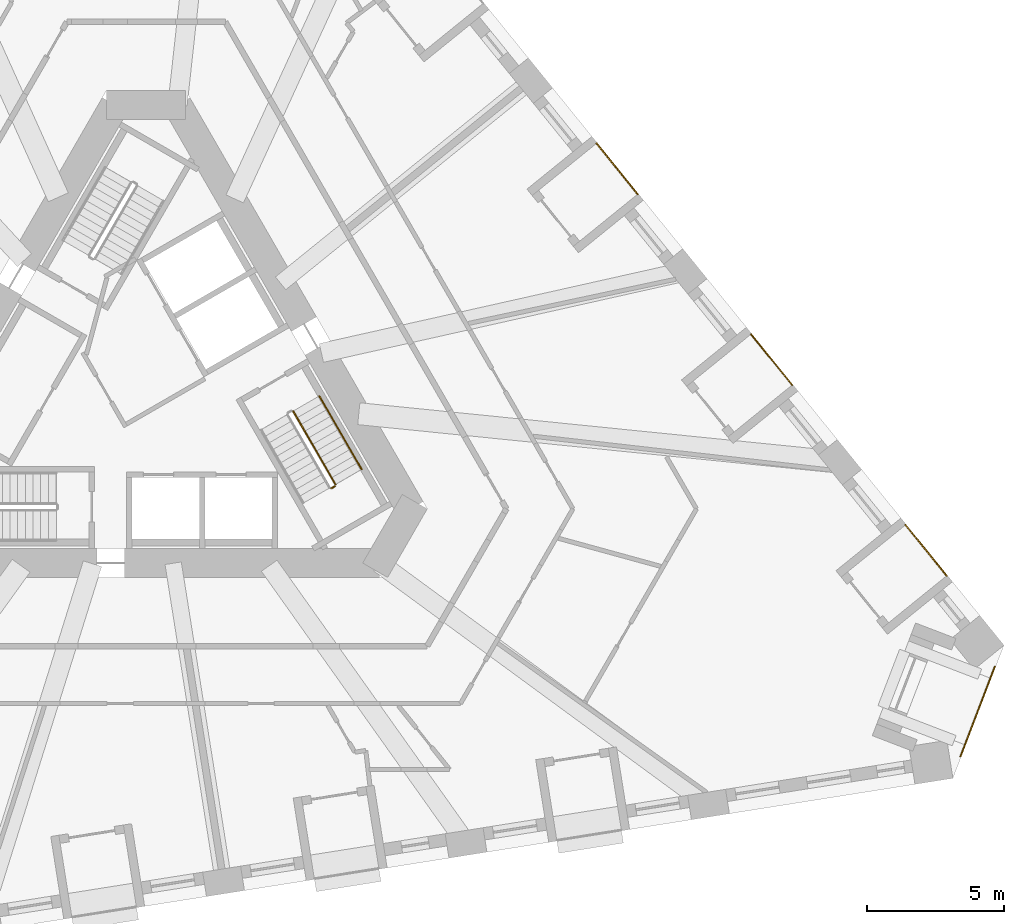
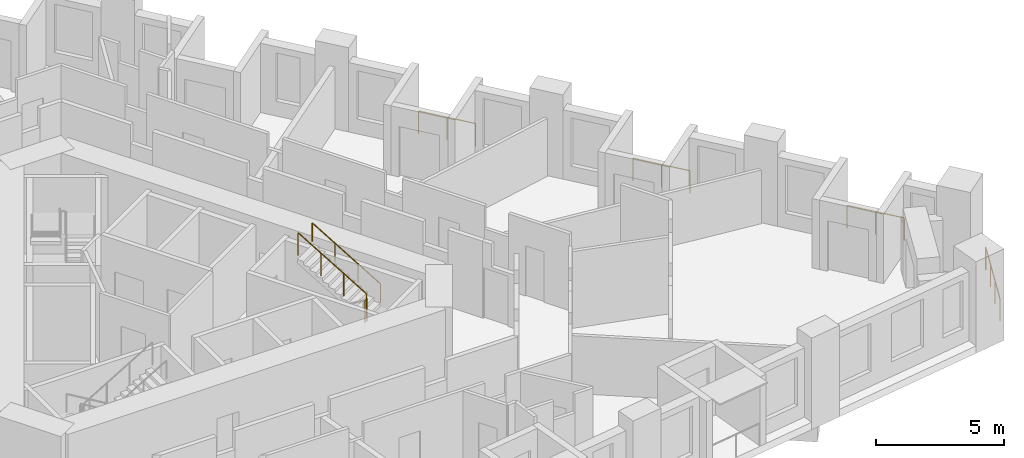
# One storey, part 12 of 13: 7 railings.
"""IFC4 building model written with IfcOpenShell, lengths in metres."""

import ifcopenshell
import ifcopenshell.guid

model = None  # the IFC model being written
_history = None  # IfcOwnerHistory: only IFC2X3 demands one
_inside = {}  # id of a spatial element -> (the spatial element, [elements in it])
_under = {}  # id of a project, library or spatial element -> (it, [spatial elements below it])
_declared = {}  # id of a project -> (the project, [libraries it declares])
_typed = {}  # id of a type object -> (the type object, [elements of that type])
_made_of = {}  # id of a material, layer set ... -> (it, [elements and type objects made of it])


def new_model(schema):
    """Start an empty IFC model of exactly this schema.

    Asked for "IFC4X3", IfcOpenShell would pick the latest addendum, in which some entities
    have other attributes; the version numbers below select the first issue.
    IFC2X3 requires an IfcOwnerHistory on every rooted entity: one is made here for all.
    """
    global model, _history
    if schema == "IFC4X3":
        model = ifcopenshell.file(schema_version=(4, 3, 0, 0))
    else:
        model = ifcopenshell.file(schema=schema)
    _inside.clear()
    _under.clear()
    _declared.clear()
    _typed.clear()
    _made_of.clear()
    _history = None
    if model.schema == "IFC2X3":
        org = make("IfcOrganization", Name="unknown")
        user = make(
            "IfcPersonAndOrganization",
            ThePerson=make("IfcPerson", FamilyName="unknown"),
            TheOrganization=org,
        )
        app = make(
            "IfcApplication",
            ApplicationDeveloper=org,
            Version="unknown",
            ApplicationFullName="unknown",
            ApplicationIdentifier="unknown",
        )
        _history = make(
            "IfcOwnerHistory",
            OwningUser=user,
            OwningApplication=app,
            ChangeAction="ADDED",
            CreationDate=0,
        )
    return model


def make(cls, **values):
    """One entity of the class cls with the attributes given. An attribute that is None is left unset."""
    return model.create_entity(
        cls, **{name: value for name, value in values.items() if value is not None}
    )


def rooted(cls, **values):
    """An entity with a GlobalId (a new one), such as an element, a storey or a relation."""
    return make(cls, GlobalId=ifcopenshell.guid.new(), OwnerHistory=_history, **values)


def si_unit(unit_type, name, prefix=None):
    """IfcSIUnit, for example si_unit("LENGTHUNIT", "METRE", prefix="MILLI")."""
    return make("IfcSIUnit", UnitType=unit_type, Prefix=prefix, Name=name)


def assignment(units):
    """IfcUnitAssignment: the units of a project."""
    return None if units is None else make("IfcUnitAssignment", Units=units)


def point(xyz):
    """IfcCartesianPoint."""
    return None if xyz is None else make("IfcCartesianPoint", Coordinates=xyz)


def direction(xyz):
    """IfcDirection."""
    return None if xyz is None else make("IfcDirection", DirectionRatios=xyz)


def frame(location, z_axis=None, x_axis=None):
    """IfcAxis2Placement3D, a coordinate frame: its origin and axes. An axis left out is left unset."""
    return make(
        "IfcAxis2Placement3D",
        Location=point(location),
        Axis=direction(z_axis),
        RefDirection=direction(x_axis),
    )


def frame_2d(location, x_axis=None):
    """IfcAxis2Placement2D, a coordinate frame in the plane: its origin and x axis."""
    return make(
        "IfcAxis2Placement2D", Location=point(location), RefDirection=direction(x_axis)
    )


def origin():
    """The frame at (0, 0, 0) with its axes left unset."""
    return frame((0.0, 0.0, 0.0))


def origin_2d():
    """The frame at (0, 0) in the plane with its x axis left unset."""
    return frame_2d((0.0, 0.0))


def place(relative_to, where):
    """IfcLocalPlacement: puts the frame where relative to a parent placement (None: the world)."""
    return make(
        "IfcLocalPlacement", PlacementRelTo=relative_to, RelativePlacement=where
    )


def context(
    kind, dimensions, precision=None, world=None, true_north=None, identifier=None
):
    """IfcGeometricRepresentationContext, for example the 3D "Model" context."""
    return make(
        "IfcGeometricRepresentationContext",
        ContextIdentifier=identifier,
        ContextType=kind,
        CoordinateSpaceDimension=dimensions,
        Precision=precision,
        WorldCoordinateSystem=world,
        TrueNorth=true_north,
    )


def subcontext(parent, identifier, kind, view, scale=None):
    """IfcGeometricRepresentationSubContext, for example "Body" below "Model"."""
    return make(
        "IfcGeometricRepresentationSubContext",
        ContextIdentifier=identifier,
        ContextType=kind,
        ParentContext=parent,
        TargetScale=scale,
        TargetView=view,
    )


def project(units=None, contexts=None):
    """IfcProject with its units and contexts."""
    return rooted(
        "IfcProject",
        Name="project",
        RepresentationContexts=contexts,
        UnitsInContext=assignment(units),
    )


def spatial(cls, under=None, at=None, **own):
    """A site, building, storey or space (cls), placed at a placement, below another one or the project."""
    s = rooted(cls, ObjectPlacement=at, **own)
    if under is not None:
        _under.setdefault(under.id(), (under, []))[1].append(s)
    return s


def profile(cls, at=None, kind="AREA", **sizes):
    """A parametric profile (cls). Its sizes go by their IFC names, for example OverallWidth=200.0."""
    return make(cls, ProfileType=kind, Position=at, **sizes)


def circle(**sizes):
    """IfcCircleProfileDef."""
    return profile("IfcCircleProfileDef", **sizes)


def extrude(swept, where, along, depth):
    """IfcExtrudedAreaSolid: the profile swept, set in the frame where, extruded along a direction by depth."""
    return make(
        "IfcExtrudedAreaSolid",
        SweptArea=swept,
        Position=where,
        ExtrudedDirection=direction(along),
        Depth=depth,
    )


def shape(context_of_items, identifier, shape_type, items):
    """IfcShapeRepresentation: the items that make up one representation, for example the "Body"."""
    return make(
        "IfcShapeRepresentation",
        ContextOfItems=context_of_items,
        RepresentationIdentifier=identifier,
        RepresentationType=shape_type,
        Items=items,
    )


def material(Name=None, Category=None):
    """IfcMaterial."""
    return make("IfcMaterial", Name=Name, Category=Category)


def made_of(thing, what):
    """Note that an element or type object is made of a material, layer set ...; save() writes the relation."""
    if what is not None:
        _made_of.setdefault(what.id(), (what, []))[1].append(thing)
    return thing


def type_object(cls, material=None, **own):
    """A type object (cls), such as IfcWallType, which elements share."""
    return made_of(rooted(cls, **own), material)


def element(
    cls,
    number,
    at=None,
    inside=None,
    cuts=None,
    type_object=None,
    material=None,
    context=None,
    identifier="Body",
    shape_type=None,
    held_by="IfcProductDefinitionShape",
    body=None,
    shapes=None,
    **own,
):
    """One element of the class cls, such as IfcWall. Its Tag is "e" and its number.

    at: its placement. inside: the storey or other place that contains it. cuts: it is an
    opening in that element (IfcRelVoidsElement). A single representation is given by context,
    identifier, shape_type and body (its items); several are given by shapes. held_by: the class
    of the entity that holds the representations. save() writes the other relations.
    """
    e = rooted(cls, Tag="e%d" % number, ObjectPlacement=at, **own)
    if body is not None:
        shapes = [shape(context, identifier, shape_type, body)]
    if shapes is not None:
        e.Representation = make(held_by, Representations=shapes)
    if inside is not None:
        _inside.setdefault(inside.id(), (inside, []))[1].append(e)
    if cuts is not None:
        rooted(
            "IfcRelVoidsElement", RelatingBuildingElement=cuts, RelatedOpeningElement=e
        )
    if type_object is not None:
        _typed.setdefault(type_object.id(), (type_object, []))[1].append(e)
    return made_of(e, material)


def aggregate(whole, parts):
    """IfcRelAggregates: a whole, such as a stair, and the parts it consists of."""
    return rooted("IfcRelAggregates", RelatingObject=whole, RelatedObjects=parts)


def save(model, path):
    """Write the relations noted so far, then the file.

    IfcRelAggregates (storeys below a building ...), IfcRelContainedInSpatialStructure (elements
    in a storey), IfcRelDefinesByType, IfcRelAssociatesMaterial and IfcRelDeclares: one each for
    every whole, place, type object, material and project.
    """
    for whole, parts in _under.values():
        aggregate(whole, parts)
    for where, things in _inside.values():
        rooted(
            "IfcRelContainedInSpatialStructure",
            RelatedElements=things,
            RelatingStructure=where,
        )
    for kind, things in _typed.values():
        rooted("IfcRelDefinesByType", RelatedObjects=things, RelatingType=kind)
    for what, things in _made_of.values():
        rooted("IfcRelAssociatesMaterial", RelatedObjects=things, RelatingMaterial=what)
    for by, libraries in _declared.values():
        rooted("IfcRelDeclares", RelatingContext=by, RelatedDefinitions=libraries)
    model.write(path)


model = new_model("IFC4")

# Units and contexts
model_context = context("Model", 3, precision=1e-05, world=origin(), true_north=direction((0.0, 1.0)))
body_context = subcontext(model_context, "Body", "Model", "MODEL_VIEW")
ifc_project = project(units=[si_unit("LENGTHUNIT", "METRE"), si_unit("AREAUNIT", "SQUARE_METRE"), si_unit("VOLUMEUNIT", "CUBIC_METRE"), si_unit("PLANEANGLEUNIT", "RADIAN"), si_unit("MASSUNIT", "GRAM", prefix="KILO")], contexts=[model_context])

# Site, building, storey
site_placement = place(None, origin())
site = spatial("IfcSite", under=ifc_project, at=site_placement, CompositionType="ELEMENT")
building_placement = place(site_placement, origin())
building = spatial("IfcBuilding", under=site, at=building_placement, Name="Tramontana Tower", CompositionType="ELEMENT")
storey_placement = place(building_placement, frame((0.0, 0.0, 51.199951171875)))
storey = spatial("IfcBuildingStorey", under=building, at=storey_placement, Name="L10", CompositionType="ELEMENT", Elevation=51.199951171875)

# Railings
ifc_material_1 = material(Name="Laminated glass balustrade", Category="glass")
railing_type_1 = type_object("IfcRailingType", Name="GD1 Loggia glass balustrade 1100", PredefinedType="BALUSTRADE", material=ifc_material_1)
railing_1_placement = place(storey_placement, frame((29.18310546875, -6.68896484375, 0.0)))
element("IfcRailing", 1, at=railing_1_placement, inside=storey, type_object=railing_type_1, Name="Loggia balustrade L10 G1S2.1", PredefinedType="BALUSTRADE", context=body_context, shape_type="SweptSolid", body=[
    extrude(circle(Radius=0.02392578125, at=origin_2d()), frame((0.0, 0.0, 1.076171875), z_axis=(-0.629369155682, 0.777106470103, 0.0), x_axis=(-0.777106470103, -0.629369155682, 0.0)), (0.0, 0.0, 1.0), 2.383056640625),
    extrude(circle(Radius=0.02099609375, at=origin_2d()), origin(), (0.0, 0.0, 1.0), 1.052001953125),
    extrude(circle(Radius=0.02099609375, at=origin_2d()), frame((-0.75, 0.92578125, 0.0)), (0.0, 0.0, 1.0), 1.052001953125),
    extrude(circle(Radius=0.02099609375, at=origin_2d()), frame((-1.499755859375, 1.851806640625, 0.0)), (0.0, 0.0, 1.0), 1.052001953125),
])
railing_2_placement = place(storey_placement, frame((23.55126953125, 0.265625, 0.0)))
element("IfcRailing", 2, at=railing_2_placement, inside=storey, type_object=railing_type_1, Name="Loggia balustrade L10 G1S2.4", PredefinedType="BALUSTRADE", context=body_context, shape_type="SweptSolid", body=[
    extrude(circle(Radius=0.02392578125, at=origin_2d()), frame((0.0, 0.0, 1.076171875), z_axis=(-0.629257171563, 0.777197151331, 0.0), x_axis=(-0.777197151331, -0.629257171563, 0.0)), (0.0, 0.0, 1.0), 2.383056640625),
    extrude(circle(Radius=0.02099609375, at=origin_2d()), origin(), (0.0, 0.0, 1.0), 1.052001953125),
    extrude(circle(Radius=0.02099609375, at=origin_2d()), frame((-0.749755859375, 0.926025390625, 0.0)), (0.0, 0.0, 1.0), 1.052001953125),
    extrude(circle(Radius=0.02099609375, at=origin_2d()), frame((-1.49951171875, 1.85205078125, 0.0)), (0.0, 0.0, 1.0), 1.052001953125),
])
railing_3_placement = place(storey_placement, frame((17.919677734375, 7.22021484375, 0.0)))
element("IfcRailing", 3, at=railing_3_placement, inside=storey, type_object=railing_type_1, Name="Loggia balustrade L10 G1S2.7", PredefinedType="BALUSTRADE", context=body_context, shape_type="SweptSolid", body=[
    extrude(circle(Radius=0.02392578125, at=origin_2d()), frame((0.0, 0.0, 1.076171875), z_axis=(-0.629319049918, 0.777147047482, 0.0), x_axis=(-0.777147047482, -0.629319049918, 0.0)), (0.0, 0.0, 1.0), 2.383056640625),
    extrude(circle(Radius=0.02099609375, at=origin_2d()), origin(), (0.0, 0.0, 1.0), 1.052001953125),
    extrude(circle(Radius=0.02099609375, at=origin_2d()), frame((-0.75, 0.926025390625, 0.0)), (0.0, 0.0, 1.0), 1.052001953125),
    extrude(circle(Radius=0.02099609375, at=origin_2d()), frame((-1.499755859375, 1.85205078125, 0.0)), (0.0, 0.0, 1.0), 1.052001953125),
])
railing_4_placement = place(storey_placement, frame((30.9404296875, -10.00244140625, 0.0)))
element("IfcRailing", 4, at=railing_4_placement, inside=storey, type_object=railing_type_1, Name="Corner loggia balustrade L10 K12", PredefinedType="BALUSTRADE", context=body_context, shape_type="SweptSolid", body=[
    extrude(circle(Radius=0.02392578125, at=origin_2d()), frame((0.0, 0.0, 1.076171875), z_axis=(-0.358329267986, -0.933595274037, 0.0), x_axis=(0.933595274037, -0.358329267986, 0.0)), (0.0, 0.0, 1.0), 3.5),
    extrude(circle(Radius=0.02099609375, at=origin_2d()), origin(), (0.0, 0.0, 1.0), 1.052001953125),
    extrude(circle(Radius=0.02099609375, at=origin_2d()), frame((-0.41796875, -1.089111328125, 0.0)), (0.0, 0.0, 1.0), 1.052001953125),
    extrude(circle(Radius=0.02099609375, at=origin_2d()), frame((-0.836181640625, -2.178466796875, 0.0)), (0.0, 0.0, 1.0), 1.052001953125),
    extrude(circle(Radius=0.02099609375, at=origin_2d()), frame((-1.254150390625, -3.267578125, 0.0)), (0.0, 0.0, 1.0), 1.052001953125),
])
ifc_material_2 = material(Name="Painted steel", Category="steel")
railing_type_2 = type_object("IfcRailingType", Name="STAIR GUARD 1100", PredefinedType="GUARDRAIL", material=ifc_material_2)
railing_5_placement = place(storey_placement, frame((6.90380859375, -3.35791015625, 2.166748046875)))
element("IfcRailing", 5, at=railing_5_placement, inside=storey, type_object=railing_type_2, Name="L10 ST3 stair guard 2", PredefinedType="GUARDRAIL", context=body_context, shape_type="SweptSolid", body=[
    extrude(circle(Radius=0.02392578125, at=origin_2d()), frame((0.0, 0.0, 1.076171875), z_axis=(-0.429615651263, 0.74418122563, 0.511492615401), x_axis=(-0.866044340336, -0.499967199496, 0.0)), (0.0, 0.0, 1.0), 3.584228515625),
    extrude(circle(Radius=0.02099609375, at=origin_2d()), origin(), (0.0, 0.0, 1.0), 1.052001953125),
    extrude(circle(Radius=0.02099609375, at=origin_2d()), frame((-0.51318359375, 0.88916015625, 0.611083984375)), (0.0, 0.0, 1.0), 1.052001953125),
    extrude(circle(Radius=0.02099609375, at=origin_2d()), frame((-1.026611328125, 1.778076171875, 1.22216796875)), (0.0, 0.0, 1.0), 1.052001953125),
    extrude(circle(Radius=0.02099609375, at=origin_2d()), frame((-1.539794921875, 2.667236328125, 1.833251953125)), (0.0, 0.0, 1.0), 1.052001953125),
])
railing_6_placement = place(storey_placement, frame((6.755615234375, -3.501220703125, 2.0)))
element("IfcRailing", 6, at=railing_6_placement, inside=storey, type_object=railing_type_2, Name="L10 ST3 stair guard 3", PredefinedType="GUARDRAIL", context=body_context, shape_type="SweptSolid", body=[
    extrude(circle(Radius=0.02392578125, at=origin_2d()), frame((0.0, 0.0, 1.076171875), z_axis=(0.866131372301, 0.499816412211, 0.0), x_axis=(-0.499816412211, 0.866131372301, 0.0)), (0.0, 0.0, 1.0), 0.14990234375),
    extrude(circle(Radius=0.02099609375, at=origin_2d()), origin(), (0.0, 0.0, 1.0), 1.052001953125),
    extrude(circle(Radius=0.02099609375, at=origin_2d()), frame((0.1298828125, 0.074951171875, 0.0)), (0.0, 0.0, 1.0), 1.052001953125),
])
ifc_material_3 = material(Name="Painted steel", Category="steel")
railing_type_3 = type_object("IfcRailingType", Name="STAIR HANDRAIL 900", PredefinedType="HANDRAIL", material=ifc_material_3)
railing_7_placement = place(storey_placement, frame((7.8564453125, -2.807861328125, 2.166748046875)))
element("IfcRailing", 7, at=railing_7_placement, inside=storey, type_object=railing_type_3, Name="L10 ST3 stair handrail 2", PredefinedType="HANDRAIL", context=body_context, shape_type="SweptSolid", body=[
    extrude(circle(Radius=0.02392578125, at=origin_2d()), frame((0.0, 0.0, 0.8759765625), z_axis=(-0.429615651263, 0.74418122563, 0.511492615401), x_axis=(-0.866044340336, -0.499967199496, 0.0)), (0.0, 0.0, 1.0), 3.584228515625),
    extrude(circle(Radius=0.02099609375, at=origin_2d()), origin(), (0.0, 0.0, 1.0), 0.851806640625),
    extrude(circle(Radius=0.02099609375, at=origin_2d()), frame((-0.51318359375, 0.88916015625, 0.611083984375)), (0.0, 0.0, 1.0), 0.851806640625),
    extrude(circle(Radius=0.02099609375, at=origin_2d()), frame((-1.026611328125, 1.778076171875, 1.22216796875)), (0.0, 0.0, 1.0), 0.851806640625),
    extrude(circle(Radius=0.02099609375, at=origin_2d()), frame((-1.539794921875, 2.667236328125, 1.833251953125)), (0.0, 0.0, 1.0), 0.851806640625),
])

save(model, "model.ifc")
